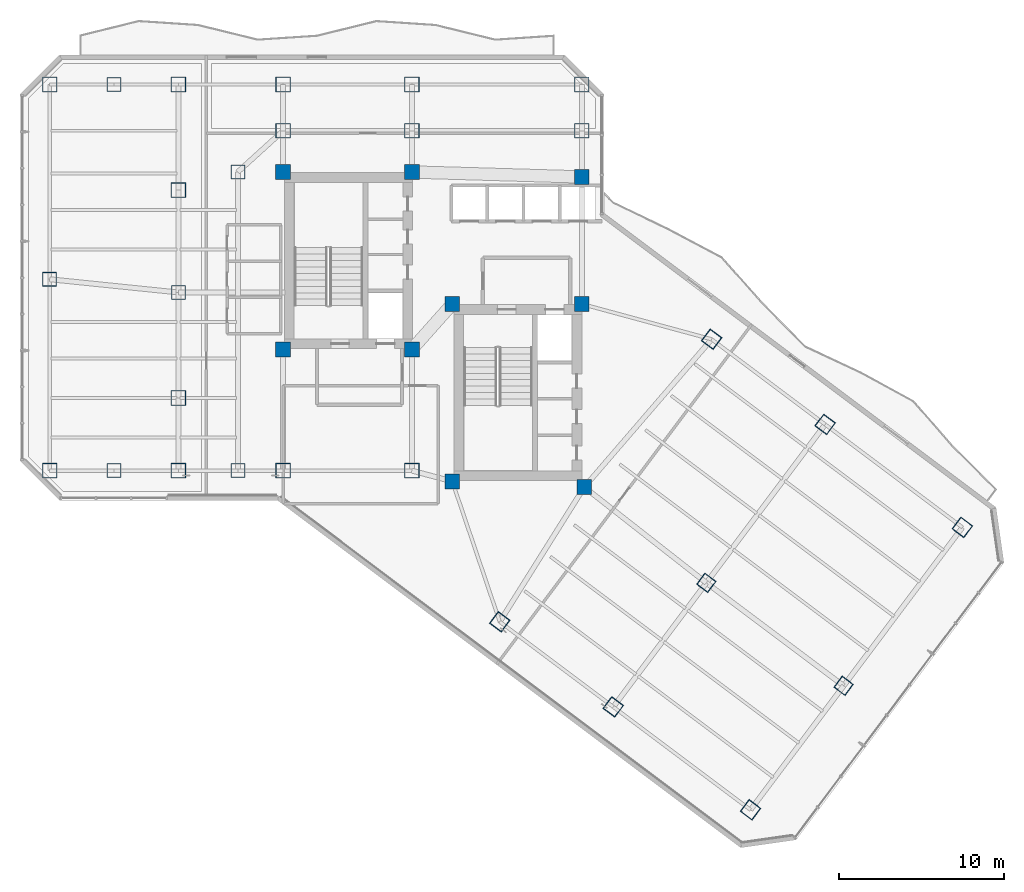
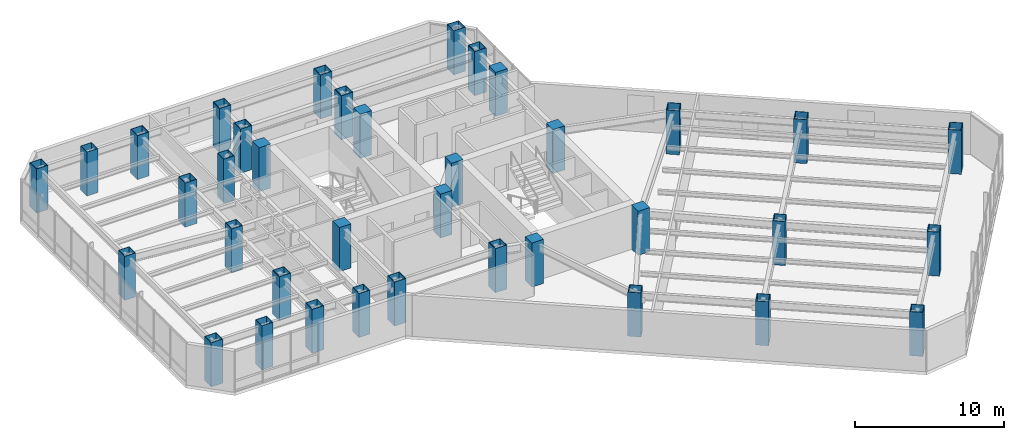
# One storey, part 1 of 29: 37 columns.
"""IFC4 building model written with IfcOpenShell, lengths in metres."""

from ifc_helpers import new_model, si_unit, direction, frame, origin, origin_2d, place, context, subcontext, project, spatial, rectangle, hollow_rectangle, extrude, material, material_profile, profile_set, type_object, element, save


model = new_model("IFC4")

# Units and contexts
model_context = context("Model", 3, precision=1e-05, world=origin(), true_north=direction((0.0, 1.0)))
body_context = subcontext(model_context, "Body", "Model", "MODEL_VIEW")
ifc_project = project(units=[si_unit("LENGTHUNIT", "METRE"), si_unit("AREAUNIT", "SQUARE_METRE"), si_unit("VOLUMEUNIT", "CUBIC_METRE"), si_unit("PLANEANGLEUNIT", "RADIAN"), si_unit("MASSUNIT", "GRAM", prefix="KILO")], contexts=[model_context])

# Site, building, storey
site_placement = place(None, origin())
site = spatial("IfcSite", under=ifc_project, at=site_placement, CompositionType="ELEMENT")
building_placement = place(site_placement, origin())
building = spatial("IfcBuilding", under=site, at=building_placement, Name="Hatsunagi Terrace Concourse", CompositionType="ELEMENT")
storey_placement = place(building_placement, frame((0.0, 0.0, 115.64990234375)))
storey = spatial("IfcBuildingStorey", under=building, at=storey_placement, Name="L30", CompositionType="ELEMENT", Elevation=115.64990234375)

# Columns
ifc_material_1 = material(Name="Concrete Fc48", Category="concrete")
ifc_material_profile_1 = material_profile(ifc_material_1, rectangle(XDim=0.89990234375, YDim=0.89990234375, at=origin_2d()), Name="RC-900x900")
ifc_profile_set_1 = profile_set([ifc_material_profile_1], Name="Concrete Fc48")
column_type_1 = type_object("IfcColumnType", Name="CoreColumn_RC_900x900", PredefinedType="COLUMN", material=ifc_profile_set_1)
for number, where, z_axis, x_axis, name in (
    (1, (25.550048828125, 32.550048828125, 0.0), (0.0, 0.0, 1.0), (1.0, 0.0, 0.0), "Column C-02 L30-CASW"),
    (2, (33.35009765625, 32.550048828125, 0.0), (0.0, 0.0, 1.0), (1.0, 0.0, 0.0), "Column C-02 L30-CASE"),
    (3, (25.550048828125, 43.300048828125, 0.0), (0.0, 0.0, 1.0), (1.0, 0.0, 0.0), "Column C-02 L30-CANW"),
    (4, (33.35009765625, 43.300048828125, 0.0), (0.0, 0.0, 1.0), (1.0, 0.0, 0.0), "Column C-02 L30-CANE"),
    (5, (35.800048828125, 24.550048828125, 0.0), (0.0, 0.0, 1.0), (1.0, 0.0, 0.0), "Column C-02 L30-CBSW"),
    (6, (43.800048828125, 24.199951171875, 0.0), (0.0, 0.0, 1.0), (1.0, 0.0, 0.0), "Column C-02 L30-CBSE"),
    (7, (35.800048828125, 35.300048828125, 0.0), (0.0, 0.0, 1.0), (1.0, 0.0, 0.0), "Column C-02 L30-CBNW"),
    (8, (43.64990234375, 35.300048828125, 0.0), (0.0, 0.0, 1.0), (1.0, 0.0, 0.0), "Column C-02 L30-CBNE"),
    (9, (43.64990234375, 43.0, 0.0), (0.0, 0.0, 1.0), (1.0, 0.0, 0.0), "Column C-02 L30-K3"),
):
    element("IfcColumn", number, at=place(storey_placement, frame(where, z_axis=z_axis, x_axis=x_axis)), inside=storey, type_object=column_type_1, Name=name, PredefinedType="COLUMN", context=body_context, shape_type="SweptSolid", body=[
        extrude(rectangle(XDim=0.89990234375, YDim=0.89990234375, at=origin_2d()), origin(), (0.0, 0.0, 1.0), 3.60009765625),
    ])
ifc_material_2 = material(Name="Steel BCP325T", Category="steel")
ifc_material_profile_2 = material_profile(ifc_material_2, hollow_rectangle(XDim=0.85009765625, YDim=0.85009765625, WallThickness=0.031982421875, at=origin_2d()), Name="BCP-850x850x32")
ifc_profile_set_2 = profile_set([ifc_material_profile_2], Name="Steel BCP325T")
column_type_2 = type_object("IfcColumnType", Name="TowerBoxColumn_850x850x32", PredefinedType="COLUMN", material=ifc_profile_set_2)
for number, where, z_axis, x_axis, name in (
    (10, (22.800048828125, 25.199951171875, 0.0), (0.0, 0.0, 1.0), (1.0, 0.0, 0.0), "Column C-05 L30-CW1"),
    (11, (22.800048828125, 43.300048828125, 0.0), (0.0, 0.0, 1.0), (1.0, 0.0, 0.0), "Column C-05 L30-CW2"),
    (12, (11.39990234375, 36.800048828125, 0.0), (0.0, 0.0, 1.0), (1.0, 0.0, 0.0), "Column C-05 L30-WT1"),
    (13, (19.199951171875, 36.0, 0.0), (0.0, 0.0, 1.0), (1.0, 0.0, 0.0), "Column C-05 L30-WT2"),
    (14, (15.300048828125, 25.199951171875, 0.0), (0.0, 0.0, 1.0), (1.0, 0.0, 0.0), "Column C-05 L30-WT3"),
    (15, (15.300048828125, 48.60009765625, 0.0), (0.0, 0.0, 1.0), (1.0, 0.0, 0.0), "Column C-05 L30-WT4"),
    (16, (51.199951171875, 18.39990234375, 0.0), (0.0, 0.0, 1.0), (0.799999996291, -0.600000004945, 0.0), "Column C-05 L30-SEM2"),
    (17, (59.52001953125, 12.159912109375, 0.0), (0.0, 0.0, 1.0), (0.799999996291, -0.600000004945, 0.0), "Column C-05 L30-SEM3"),
):
    element("IfcColumn", number, at=place(storey_placement, frame(where, z_axis=z_axis, x_axis=x_axis)), inside=storey, type_object=column_type_2, Name=name, PredefinedType="COLUMN", context=body_context, shape_type="SweptSolid", body=[
        extrude(hollow_rectangle(XDim=0.85009765625, YDim=0.85009765625, WallThickness=0.031982421875, at=origin_2d()), origin(), (0.0, 0.0, 1.0), 3.60009765625),
    ])
ifc_material_3 = material(Name="Steel BCP325T", Category="steel")
ifc_material_profile_3 = material_profile(ifc_material_3, hollow_rectangle(XDim=0.89990234375, YDim=0.89990234375, WallThickness=0.035888671875, at=origin_2d()), Name="BCP-900x900x36")
ifc_profile_set_3 = profile_set([ifc_material_profile_3], Name="Steel BCP325T")
column_type_3 = type_object("IfcColumnType", Name="TowerBoxColumn_900x900x36", PredefinedType="COLUMN", material=ifc_profile_set_3)
for number, where, z_axis, x_axis, name in (
    (18, (25.550048828125, 25.199951171875, 0.0), (0.0, 0.0, 1.0), (1.0, 0.0, 0.0), "Column C-04 L30-K1"),
    (19, (33.35009765625, 25.199951171875, 0.0), (0.0, 0.0, 1.0), (1.0, 0.0, 0.0), "Column C-04 L30-K2"),
    (20, (25.550048828125, 45.800048828125, 0.0), (0.0, 0.0, 1.0), (1.0, 0.0, 0.0), "Column C-04 L30-CN1"),
    (21, (33.35009765625, 45.800048828125, 0.0), (0.0, 0.0, 1.0), (1.0, 0.0, 0.0), "Column C-04 L30-CN2"),
    (22, (43.64990234375, 45.800048828125, 0.0), (0.0, 0.0, 1.0), (1.0, 0.0, 0.0), "Column C-04 L30-CN3"),
    (23, (11.39990234375, 25.199951171875, 0.0), (0.0, 0.0, 1.0), (1.0, 0.0, 0.0), "Column C-04 L30-WS2"),
    (24, (11.39990234375, 48.60009765625, 0.0), (0.0, 0.0, 1.0), (1.0, 0.0, 0.0), "Column C-04 L30-WN2"),
    (25, (19.199951171875, 48.60009765625, 0.0), (0.0, 0.0, 1.0), (1.0, 0.0, 0.0), "Column C-04 L30-WN3"),
    (26, (25.550048828125, 48.60009765625, 0.0), (0.0, 0.0, 1.0), (1.0, 0.0, 0.0), "Column C-04 L30-WN4"),
    (27, (33.35009765625, 48.60009765625, 0.0), (0.0, 0.0, 1.0), (1.0, 0.0, 0.0), "Column C-04 L30-WN5"),
    (28, (43.64990234375, 48.60009765625, 0.0), (0.0, 0.0, 1.0), (1.0, 0.0, 0.0), "Column C-04 L30-WN6"),
    (29, (19.199951171875, 25.199951171875, 0.0), (0.0, 0.0, 1.0), (1.0, 0.0, 0.0), "Column C-04 L30-WS3"),
    (30, (19.199951171875, 29.60009765625, 0.0), (0.0, 0.0, 1.0), (1.0, 0.0, 0.0), "Column C-04 L30-WR1"),
    (31, (19.199951171875, 42.199951171875, 0.0), (0.0, 0.0, 1.0), (1.0, 0.0, 0.0), "Column C-04 L30-WR2"),
    (32, (38.679931640625, 16.0400390625, 0.0), (0.0, 0.0, 1.0), (0.799999996291, -0.600000004945, 0.0), "Column C-04 L30-SES1"),
    (33, (51.52001953125, 33.159912109375, 0.0), (0.0, 0.0, 1.0), (0.799999996291, -0.600000004945, 0.0), "Column C-04 L30-SEN1"),
    (34, (45.56005859375, 10.8798828125, 0.0), (0.0, 0.0, 1.0), (0.799999996291, -0.600000004945, 0.0), "Column C-04 L30-SES2"),
    (35, (58.39990234375, 28.0, 0.0), (0.0, 0.0, 1.0), (0.799999996291, -0.600000004945, 0.0), "Column C-04 L30-SEN2"),
    (36, (53.8798828125, 4.639892578125, 0.0), (0.0, 0.0, 1.0), (0.799999996291, -0.600000004945, 0.0), "Column C-04 L30-SES3"),
    (37, (66.719970703125, 21.760009765625, 0.0), (0.0, 0.0, 1.0), (0.799999996291, -0.600000004945, 0.0), "Column C-04 L30-SEN3"),
):
    element("IfcColumn", number, at=place(storey_placement, frame(where, z_axis=z_axis, x_axis=x_axis)), inside=storey, type_object=column_type_3, Name=name, PredefinedType="COLUMN", context=body_context, shape_type="SweptSolid", body=[
        extrude(hollow_rectangle(XDim=0.89990234375, YDim=0.89990234375, WallThickness=0.035888671875, at=origin_2d()), origin(), (0.0, 0.0, 1.0), 3.60009765625),
    ])

save(model, "model.ifc")
